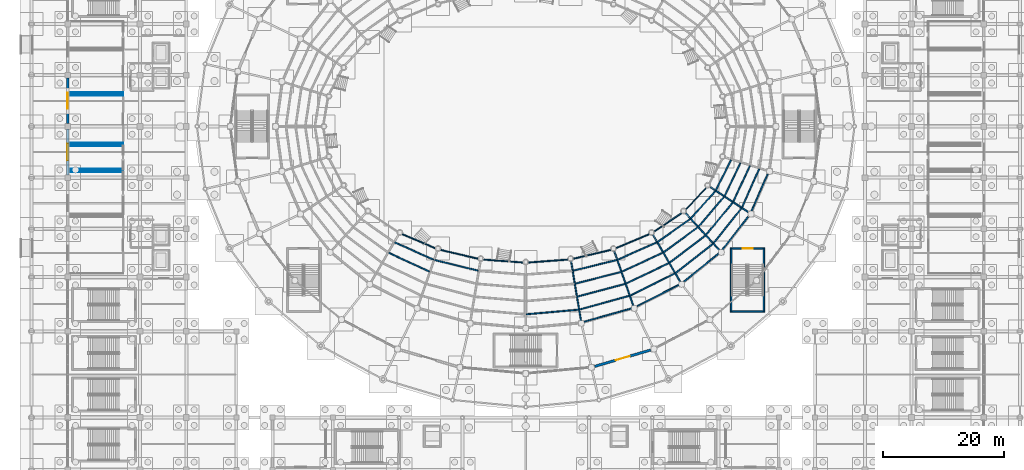
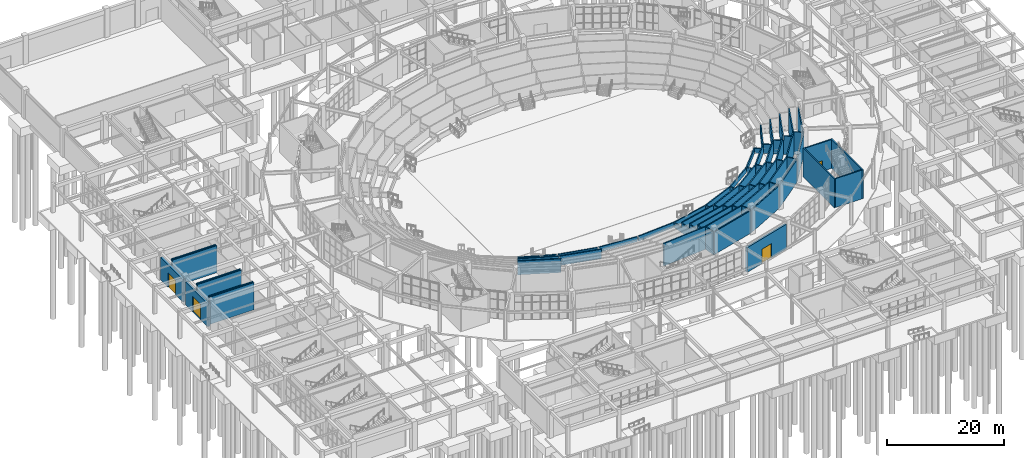
# One storey, part 85 of 121: 55 walls, 4 doors, 4 openings.
"""IFC4 building model written with IfcOpenShell, lengths in metres."""

from ifc_helpers import new_model, si_unit, direction, frame, frame_2d, origin, place, context, subcontext, project, spatial, polyline, rectangle, outline, extrude, material, layer, layer_set, type_object, element, fill, save


model = new_model("IFC4")

# Units and contexts
model_context = context("Model", 3, precision=1e-05, world=origin(), true_north=direction((0.0, 1.0)))
body_context = subcontext(model_context, "Body", "Model", "MODEL_VIEW")
ifc_project = project(units=[si_unit("LENGTHUNIT", "METRE"), si_unit("AREAUNIT", "SQUARE_METRE"), si_unit("VOLUMEUNIT", "CUBIC_METRE"), si_unit("PLANEANGLEUNIT", "RADIAN"), si_unit("MASSUNIT", "GRAM", prefix="KILO")], contexts=[model_context])

# Site, building, storey
site_placement = place(None, origin())
site = spatial("IfcSite", under=ifc_project, at=site_placement, CompositionType="ELEMENT")
building_placement = place(site_placement, origin())
building = spatial("IfcBuilding", under=site, at=building_placement, Name="Cuetzalor Civic Arena", CompositionType="ELEMENT")
storey_placement = place(building_placement, origin())
storey = spatial("IfcBuildingStorey", under=building, at=storey_placement, Name="L00", CompositionType="ELEMENT", Elevation=0.0)

# Walls
ifc_material_1 = material(Name="Acoustic steel-stud gypsum partition", Category="steel")
ifc_layer_1 = layer(ifc_material_1, 0.14990234375)
ifc_layer_set_1 = layer_set([ifc_layer_1], Name="Acoustic steel-stud gypsum partition")
wall_type_1 = type_object("IfcWallType", Name="AcousticGypsumPartition_150", PredefinedType="PARTITIONING", material=ifc_layer_set_1)
for number, where, z_axis, x_axis, name in (
    (1, (-75.5, -7.5, 0.0), (0.0, 0.0, 1.0), (1.0, 0.0, 0.0), "Interior Partition IWALL:L00:0094"),
    (2, (-75.5, -3.199951171875, 0.0), (0.0, 0.0, 1.0), (1.0, 0.0, 0.0), "Interior Partition IWALL:L00:0097"),
    (3, (-66.800048828125, -7.10009765625, 0.0), (0.0, 0.0, 1.0), (-1.0, 0.0, 0.0), "Interior Partition IWALL:L00:0098"),
    (4, (-75.5, 5.199951171875, 0.0), (0.0, 0.0, 1.0), (1.0, 0.0, 0.0), "Interior Partition IWALL:L00:0100"),
    (5, (-66.800048828125, -2.800048828125, 0.0), (0.0, 0.0, 1.0), (-1.0, 0.0, 0.0), "Interior Partition IWALL:L00:0101"),
    (6, (-66.800048828125, 5.60009765625, 0.0), (0.0, 0.0, 1.0), (-1.0, 0.0, 0.0), "Interior Partition IWALL:L00:0104"),
):
    element("IfcWall", number, at=place(storey_placement, frame(where, z_axis=z_axis, x_axis=x_axis)), inside=storey, type_object=wall_type_1, Name=name, PredefinedType="PARTITIONING", context=body_context, shape_type="SweptSolid", body=[
        extrude(rectangle(XDim=8.699951171875, YDim=0.14990234375, at=frame_2d((4.35009765625, 0.0))), origin(), (0.0, 0.0, 1.0), 5.639892578125),
    ])

# Wall, opening, door
ifc_material_2 = material(Name="Puebla cantera gris stone on Concrete C35/45", Category="masonry")
ifc_layer_2 = layer(ifc_material_2, 0.419921875)
ifc_layer_set_2 = layer_set([ifc_layer_2], Name="Puebla cantera gris stone on Concrete C35/45")
wall_type_2 = type_object("IfcWallType", Name="CanteraStoneArcadeWall_420", PredefinedType="SOLIDWALL", material=ifc_layer_set_2)
wall_1_placement = place(storey_placement, frame((20.7119140625, -37.10009765625, 0.0), z_axis=(0.0, 0.0, 1.0), x_axis=(-0.95970445843, -0.281011303101, 0.0)))
wall_1 = element("IfcWall", 7, at=wall_1_placement, inside=storey, type_object=wall_type_2, Name="Drum Ground Colonnade Portal Wall L00-007", PredefinedType="SOLIDWALL", context=body_context, shape_type="SweptSolid", body=[
    extrude(rectangle(XDim=9.64892578125, YDim=0.419921875, at=frame_2d((4.824462890625, 0.0))), origin(), (0.0, 0.0, 1.0), 5.156982421875),
])
opening_1_placement = place(wall_1_placement, frame((3.62451171875, 0.0, 0.0)))
opening_1 = element("IfcOpeningElement", 8, at=opening_1_placement, cuts=wall_1, Name="Opening ED-01", PredefinedType="OPENING", context=body_context, shape_type="SweptSolid", body=[
    extrude(rectangle(XDim=2.39990234375, YDim=3.0, at=frame_2d((1.199951171875, 1.5))), frame((0.0, 0.219970703125, 0.0), z_axis=(0.0, -1.0, 0.0), x_axis=(1.0, 0.0, 0.0)), (0.0, 0.0, 1.0), 0.43994140625),
])
ifc_material_3 = material(Name="Thermally broken bronze steel and laminated glass", Category="steel")
door_type_1 = type_object("IfcDoorType", Name="MainColonnadeEntrance_2400x3000", OperationType="DOUBLE_DOOR_SINGLE_SWING", PredefinedType="DOOR", material=ifc_material_3)
door_1_placement = place(opening_1_placement, origin())
door_1 = element("IfcDoor", 9, at=door_1_placement, inside=storey, type_object=door_type_1, Name="Pedestrian exit gate G07", OperationType="DOUBLE_DOOR_SINGLE_SWING", OverallHeight=3.0, OverallWidth=2.39990234375, PredefinedType="DOOR", context=body_context, shape_type="SweptSolid", body=[
    extrude(rectangle(XDim=2.39990234375, YDim=3.0, at=frame_2d((1.199951171875, 1.5))), frame((0.0, 0.02490234375, 0.0), z_axis=(0.0, -1.0, 0.0), x_axis=(1.0, 0.0, 0.0)), (0.0, 0.0, 1.0), 0.050048828125),
])
fill(opening_1, door_1)

wall_2_placement = place(storey_placement, frame((-76.0, -8.04296875, 0.0), z_axis=(0.0, 0.0, 1.0), x_axis=(0.0, 1.0, 0.0)))
wall_2 = element("IfcWall", 10, at=wall_2_placement, inside=storey, type_object=wall_type_2, Name="V4W Colonnade Entrance Wall L00-123", PredefinedType="SOLIDWALL", context=body_context, shape_type="SweptSolid", body=[
    extrude(rectangle(XDim=7.5859375, YDim=0.419921875, at=frame_2d((3.79296875, 0.0))), origin(), (0.0, 0.0, 1.0), 4.739990234375),
])
opening_2_placement = place(wall_2_placement, frame((2.39306640625, 0.0, 0.0)))
opening_2 = element("IfcOpeningElement", 11, at=opening_2_placement, cuts=wall_2, Name="Opening ED-03", PredefinedType="OPENING", context=body_context, shape_type="SweptSolid", body=[
    extrude(rectangle(XDim=2.800048828125, YDim=3.199951171875, at=frame_2d((1.39990234375, 1.60009765625))), frame((0.0, 0.219970703125, 0.0), z_axis=(0.0, -1.0, 0.0), x_axis=(1.0, 0.0, 0.0)), (0.0, 0.0, 1.0), 0.43994140625),
])
ifc_material_4 = material(Name="Thermally broken bronze steel and laminated glass", Category="steel")
door_type_2 = type_object("IfcDoorType", Name="MainColonnadeEntrance_2800x3200", OperationType="DOUBLE_DOOR_SINGLE_SWING", PredefinedType="DOOR", material=ifc_material_4)
door_2_placement = place(opening_2_placement, origin())
door_2 = element("IfcDoor", 12, at=door_2_placement, inside=storey, type_object=door_type_2, Name="Main entrance E09", OperationType="DOUBLE_DOOR_SINGLE_SWING", OverallHeight=3.199951171875, OverallWidth=2.800048828125, PredefinedType="DOOR", context=body_context, shape_type="SweptSolid", body=[
    extrude(rectangle(XDim=2.800048828125, YDim=3.199951171875, at=frame_2d((1.39990234375, 1.60009765625))), frame((0.0, 0.02490234375, 0.0), z_axis=(0.0, -1.0, 0.0), x_axis=(1.0, 0.0, 0.0)), (0.0, 0.0, 1.0), 0.050048828125),
])
fill(opening_2, door_2)

wall_3_placement = place(storey_placement, frame((-76.0, 0.45703125, 0.0), z_axis=(0.0, 0.0, 1.0), x_axis=(0.0, 1.0, 0.0)))
wall_3 = element("IfcWall", 13, at=wall_3_placement, inside=storey, type_object=wall_type_2, Name="V4W Colonnade Entrance Wall L00-124", PredefinedType="SOLIDWALL", context=body_context, shape_type="SweptSolid", body=[
    extrude(rectangle(XDim=7.5859375, YDim=0.419921875, at=frame_2d((3.79296875, 0.0))), origin(), (0.0, 0.0, 1.0), 4.739990234375),
])
opening_3_placement = place(wall_3_placement, frame((2.492919921875, 0.0, 0.0)))
opening_3 = element("IfcOpeningElement", 14, at=opening_3_placement, cuts=wall_3, Name="Opening ED-02", PredefinedType="OPENING", context=body_context, shape_type="SweptSolid", body=[
    extrude(rectangle(XDim=2.60009765625, YDim=3.0, at=frame_2d((1.300048828125, 1.5))), frame((0.0, 0.219970703125, 0.0), z_axis=(0.0, -1.0, 0.0), x_axis=(1.0, 0.0, 0.0)), (0.0, 0.0, 1.0), 0.43994140625),
])
ifc_material_5 = material(Name="Thermally broken bronze steel and laminated glass", Category="steel")
door_type_3 = type_object("IfcDoorType", Name="MainColonnadeEntrance_2600x3000", OperationType="DOUBLE_DOOR_SINGLE_SWING", PredefinedType="DOOR", material=ifc_material_5)
door_3_placement = place(opening_3_placement, origin())
door_3 = element("IfcDoor", 15, at=door_3_placement, inside=storey, type_object=door_type_3, Name="Main entrance E10", OperationType="DOUBLE_DOOR_SINGLE_SWING", OverallHeight=3.0, OverallWidth=2.60009765625, PredefinedType="DOOR", context=body_context, shape_type="SweptSolid", body=[
    extrude(rectangle(XDim=2.60009765625, YDim=3.0, at=frame_2d((1.300048828125, 1.5))), frame((0.0, 0.02490234375, 0.0), z_axis=(0.0, -1.0, 0.0), x_axis=(1.0, 0.0, 0.0)), (0.0, 0.0, 1.0), 0.050048828125),
])
fill(opening_3, door_3)

# Wall
ifc_material_6 = material(Name="Concrete C40/50", Category="concrete")
ifc_layer_3 = layer(ifc_material_6, 0.25)
ifc_layer_set_3 = layer_set([ifc_layer_3], Name="Concrete C40/50")
wall_type_3 = type_object("IfcWallType", Name="ConcreteCoreShearWall_250", PredefinedType="SHEAR", material=ifc_layer_set_3)
wall_4_placement = place(storey_placement, frame((34.074951171875, -30.85009765625, 0.0), z_axis=(0.0, 0.0, 1.0), x_axis=(0.0, 1.0, 0.0)))
element("IfcWall", 16, at=wall_4_placement, inside=storey, type_object=wall_type_3, Name="Stair Core Shear Wall ST-08-L00-W", PredefinedType="SHEAR", context=body_context, shape_type="SweptSolid", body=[
    extrude(rectangle(XDim=10.7001953125, YDim=0.25, at=frame_2d((5.35009765625, 0.0))), origin(), (0.0, 0.0, 1.0), 6.0),
])

# Wall, opening, door
wall_5_placement = place(storey_placement, frame((34.199951171875, -20.27490234375, 0.0), z_axis=(0.0, 0.0, 1.0), x_axis=(1.0, 0.0, 0.0)))
wall_5 = element("IfcWall", 17, at=wall_5_placement, inside=storey, type_object=wall_type_3, Name="Stair Core Shear Wall ST-08-L00-N", PredefinedType="SHEAR", context=body_context, shape_type="SweptSolid", body=[
    extrude(rectangle(XDim=5.199951171875, YDim=0.25, at=frame_2d((2.60009765625, 0.0))), origin(), (0.0, 0.0, 1.0), 6.0),
])
opening_4_placement = place(wall_5_placement, frame((1.77490234375, 0.0, 0.0)))
opening_4 = element("IfcOpeningElement", 18, at=opening_4_placement, cuts=wall_5, Name="Opening FD-04", PredefinedType="OPENING", context=body_context, shape_type="SweptSolid", body=[
    extrude(rectangle(XDim=1.64990234375, YDim=2.199951171875, at=frame_2d((0.824951171875, 1.10009765625))), frame((0.0, 0.135009765625, 0.0), z_axis=(0.0, -1.0, 0.0), x_axis=(1.0, 0.0, 0.0)), (0.0, 0.0, 1.0), 0.27001953125),
])
ifc_material_7 = material(Name="Fire-rated steel stair exit double door", Category="steel")
door_type_4 = type_object("IfcDoorType", Name="StairFireDoubleDoor_1650x2200", OperationType="DOUBLE_DOOR_SINGLE_SWING", PredefinedType="DOOR", material=ifc_material_7)
door_4_placement = place(opening_4_placement, origin())
door_4 = element("IfcDoor", 19, at=door_4_placement, inside=storey, type_object=door_type_4, Name="Fire Stair Door ST-08 L00", OperationType="DOUBLE_DOOR_SINGLE_SWING", OverallHeight=2.199951171875, OverallWidth=1.64990234375, PredefinedType="DOOR", context=body_context, shape_type="SweptSolid", body=[
    extrude(rectangle(XDim=1.64990234375, YDim=2.199951171875, at=frame_2d((0.824951171875, 1.10009765625))), frame((0.0, 0.02490234375, 0.0), z_axis=(0.0, -1.0, 0.0), x_axis=(1.0, 0.0, 0.0)), (0.0, 0.0, 1.0), 0.050048828125),
])
fill(opening_4, door_4)

# Walls
wall_6_placement = place(storey_placement, frame((39.52490234375, -20.14990234375, 0.0), z_axis=(0.0, 0.0, 1.0), x_axis=(0.0, -1.0, 0.0)))
element("IfcWall", 20, at=wall_6_placement, inside=storey, type_object=wall_type_3, Name="Stair Core Shear Wall ST-08-L00-E", PredefinedType="SHEAR", context=body_context, shape_type="SweptSolid", body=[
    extrude(rectangle(XDim=10.7001953125, YDim=0.25, at=frame_2d((5.35009765625, 0.0))), origin(), (0.0, 0.0, 1.0), 6.0),
])
wall_7_placement = place(storey_placement, frame((39.39990234375, -30.72509765625, 0.0), z_axis=(0.0, 0.0, 1.0), x_axis=(-1.0, 0.0, 0.0)))
element("IfcWall", 21, at=wall_7_placement, inside=storey, type_object=wall_type_3, Name="Stair Core Shear Wall ST-08-L00-S", PredefinedType="SHEAR", context=body_context, shape_type="SweptSolid", body=[
    extrude(rectangle(XDim=5.199951171875, YDim=0.25, at=frame_2d((2.60009765625, 0.0))), origin(), (0.0, 0.0, 1.0), 6.0),
])
ifc_material_8 = material(Name="Precast concrete C40/50", Category="concrete")
ifc_layer_4 = layer(ifc_material_8, 0.2099609375)
ifc_layer_set_4 = layer_set([ifc_layer_4], Name="Precast concrete C40/50")
wall_type_4 = type_object("IfcWallType", Name="PrecastBowlRiserWall_210", PredefinedType="SHEAR", material=ifc_layer_set_4)
wall_8_placement = place(storey_placement, frame((-20.8623046875, -17.72705078125, 0.0), z_axis=(0.0, 0.0, 1.0), x_axis=(0.921068235508, -0.389401214095, 0.0)))
element("IfcWall", 22, at=wall_8_placement, inside=storey, type_object=wall_type_4, Name="Lower Bowl Riser Support Wall S19-R0", PredefinedType="SHEAR", context=body_context, shape_type="SweptSolid", body=[
    extrude(rectangle(XDim=6.704833984375, YDim=0.2099609375, at=frame_2d((3.3525390625, 0.0))), origin(), (0.0, 0.0, 1.0), 1.02001953125),
])
wall_9_placement = place(storey_placement, frame((-21.7109375, -19.260986328125, 0.0), z_axis=(0.0, 0.0, 1.0), x_axis=(0.914790712521, -0.403928152381, 0.0)))
element("IfcWall", 23, at=wall_9_placement, inside=storey, type_object=wall_type_4, Name="Lower Bowl Riser Support Wall S19-R1", PredefinedType="SHEAR", context=body_context, shape_type="SweptSolid", body=[
    extrude(rectangle(XDim=7.0341796875, YDim=0.2099609375, at=frame_2d((3.51708984375, 0.0))), origin(), (0.0, 0.0, 1.0), 1.93994140625),
])
wall_10_placement = place(storey_placement, frame((-22.709228515625, -20.982421875, 0.0), z_axis=(0.0, 0.0, 1.0), x_axis=(0.908487454009, -0.417912127018, 0.0)))
element("IfcWall", 24, at=wall_10_placement, inside=storey, type_object=wall_type_4, Name="Lower Bowl Riser Support Wall S19-R2", PredefinedType="SHEAR", context=body_context, shape_type="SweptSolid", body=[
    extrude(rectangle(XDim=7.418701171875, YDim=0.2099609375, at=frame_2d((3.70947265625, 0.0))), origin(), (0.0, 0.0, 1.0), 2.860107421875),
])
wall_11_placement = place(storey_placement, frame((-14.482177734375, -20.40478515625, 0.0), z_axis=(0.0, 0.0, 1.0), x_axis=(0.973395018135, -0.22913345166, 0.0)))
element("IfcWall", 25, at=wall_11_placement, inside=storey, type_object=wall_type_4, Name="Lower Bowl Riser Support Wall S20-R0", PredefinedType="SHEAR", context=body_context, shape_type="SweptSolid", body=[
    extrude(rectangle(XDim=7.08447265625, YDim=0.2099609375, at=frame_2d((3.542236328125, 0.0))), origin(), (0.0, 0.0, 1.0), 1.02001953125),
])
wall_12_placement = place(storey_placement, frame((-15.072509765625, -22.171630859375, 0.0), z_axis=(0.0, 0.0, 1.0), x_axis=(0.971076710896, -0.238767714642, 0.0)))
element("IfcWall", 26, at=wall_12_placement, inside=storey, type_object=wall_type_4, Name="Lower Bowl Riser Support Wall S20-R1", PredefinedType="SHEAR", context=body_context, shape_type="SweptSolid", body=[
    extrude(rectangle(XDim=7.397705078125, YDim=0.2099609375, at=frame_2d((3.69873046875, 0.0))), origin(), (0.0, 0.0, 1.0), 1.93994140625),
])
for number, where, z_axis, x_axis, name in (
    (27, (-7.37353515625, -22.06103515625, 0.0), (0.0, 0.0, 1.0), (0.997139207233, -0.075587045177, 0.0), "Lower Bowl Riser Support Wall S21-R0"),
    (28, (0.107666015625, -22.61181640625, 0.0), (0.0, 0.0, 1.0), (0.997139207233, 0.075587045177, 0.0), "Lower Bowl Riser Support Wall S22-R0"),
):
    element("IfcWall", number, at=place(storey_placement, frame(where, z_axis=z_axis, x_axis=x_axis)), inside=storey, type_object=wall_type_4, Name=name, PredefinedType="SHEAR", context=body_context, shape_type="SweptSolid", body=[
        extrude(rectangle(XDim=7.28662109375, YDim=0.2099609375, at=frame_2d((3.643310546875, 0.0))), origin(), (0.0, 0.0, 1.0), 1.02001953125),
    ])
wall_13_placement = place(storey_placement, frame((0.107666015625, -31.17041015625, 0.0), z_axis=(0.0, 0.0, 1.0), x_axis=(0.996123466493, 0.087966127016, 0.0)))
element("IfcWall", 29, at=wall_13_placement, inside=storey, type_object=wall_type_4, Name="Lower Bowl Riser Support Wall S22-R4", PredefinedType="SHEAR", context=body_context, shape_type="SweptSolid", body=[
    extrude(rectangle(XDim=8.67041015625, YDim=0.2099609375, at=frame_2d((4.335205078125, 0.0))), origin(), (0.0, 0.0, 1.0), 4.699951171875),
])
wall_14_placement = place(storey_placement, frame((7.45458984375, -21.935791015625, 0.0), z_axis=(0.0, 0.0, 1.0), x_axis=(0.163739783963, -0.986503564691, 0.0)))
element("IfcWall", 30, at=wall_14_placement, inside=storey, type_object=wall_type_4, Name="Lower Bowl Radial Carrier Wall S23", PredefinedType="SHEAR", context=body_context, shape_type="SweptSolid", body=[
    extrude(outline(polyline([(0.0, 0.0), (10.87109375, 0.0), (10.870849609375, 4.699951171875), (8.706787109375, 4.699951171875), (8.69677734375, 3.780029296875), (6.532470703125, 3.780029296875), (6.5224609375, 2.860107421875), (4.3583984375, 2.860107421875), (4.348388671875, 1.93994140625), (2.18408203125, 1.93994140625), (2.17431640625, 1.02001953125), (0.0, 1.02001953125), (0.0, 0.0)])), frame((0.0, 0.10498046875, 0.0), z_axis=(0.0, -1.0, 0.0), x_axis=(1.0, 0.0, 0.0)), (0.0, 0.0, 1.0), 0.2099609375),
])
wall_15_placement = place(storey_placement, frame((7.586181640625, -22.028076171875, 0.0), z_axis=(0.0, 0.0, 1.0), x_axis=(0.973395018135, 0.22913345166, 0.0)))
element("IfcWall", 31, at=wall_15_placement, inside=storey, type_object=wall_type_4, Name="Lower Bowl Riser Support Wall S23-R0", PredefinedType="SHEAR", context=body_context, shape_type="SweptSolid", body=[
    extrude(rectangle(XDim=7.08447265625, YDim=0.2099609375, at=frame_2d((3.542236328125, 0.0))), origin(), (0.0, 0.0, 1.0), 1.02001953125),
])
wall_16_placement = place(storey_placement, frame((7.888671875, -23.93798828125, 0.0), z_axis=(0.0, 0.0, 1.0), x_axis=(0.971076710896, 0.238767714642, 0.0)))
element("IfcWall", 32, at=wall_16_placement, inside=storey, type_object=wall_type_4, Name="Lower Bowl Riser Support Wall S23-R1", PredefinedType="SHEAR", context=body_context, shape_type="SweptSolid", body=[
    extrude(rectangle(XDim=7.397705078125, YDim=0.2099609375, at=frame_2d((3.69873046875, 0.0))), origin(), (0.0, 0.0, 1.0), 1.93994140625),
])
wall_17_placement = place(storey_placement, frame((8.244384765625, -26.081787109375, 0.0), z_axis=(0.0, 0.0, 1.0), x_axis=(0.968720668809, 0.248153714102, 0.0)))
element("IfcWall", 33, at=wall_17_placement, inside=storey, type_object=wall_type_4, Name="Lower Bowl Riser Support Wall S23-R2", PredefinedType="SHEAR", context=body_context, shape_type="SweptSolid", body=[
    extrude(rectangle(XDim=7.765380859375, YDim=0.2099609375, at=frame_2d((3.8828125, 0.0))), origin(), (0.0, 0.0, 1.0), 2.860107421875),
])
wall_18_placement = place(storey_placement, frame((8.60009765625, -28.2255859375, 0.0), z_axis=(0.0, 0.0, 1.0), x_axis=(0.966491526887, 0.25669851666, 0.0)))
element("IfcWall", 34, at=wall_18_placement, inside=storey, type_object=wall_type_4, Name="Lower Bowl Riser Support Wall S23-R3", PredefinedType="SHEAR", context=body_context, shape_type="SweptSolid", body=[
    extrude(rectangle(XDim=8.133544921875, YDim=0.2099609375, at=frame_2d((4.06689453125, 0.0))), origin(), (0.0, 0.0, 1.0), 3.780029296875),
])
wall_19_placement = place(storey_placement, frame((8.9560546875, -30.36962890625, 0.0), z_axis=(0.0, 0.0, 1.0), x_axis=(0.964389789843, 0.264485034069, 0.0)))
element("IfcWall", 35, at=wall_19_placement, inside=storey, type_object=wall_type_4, Name="Lower Bowl Riser Support Wall S23-R4", PredefinedType="SHEAR", context=body_context, shape_type="SweptSolid", body=[
    extrude(rectangle(XDim=8.50244140625, YDim=0.2099609375, at=frame_2d((4.251220703125, 0.0))), origin(), (0.0, 0.0, 1.0), 4.699951171875),
])
wall_20_placement = place(storey_placement, frame((9.311767578125, -32.513916015625, 0.0), z_axis=(0.0, 0.0, 1.0), x_axis=(0.962386234361, 0.271684993905, 0.0)))
element("IfcWall", 36, at=wall_20_placement, inside=storey, type_object=wall_type_4, Name="Lower Bowl Riser Support Wall S23-R5", PredefinedType="SHEAR", context=body_context, shape_type="SweptSolid", body=[
    extrude(rectangle(XDim=8.8720703125, YDim=0.2099609375, at=frame_2d((4.43603515625, 0.0))), origin(), (0.0, 0.0, 1.0), 4.699951171875),
])
wall_21_placement = place(storey_placement, frame((14.53515625, -20.271728515625, 0.0), z_axis=(0.0, 0.0, 1.0), x_axis=(0.33053164726, -0.94379490895, 0.0)))
element("IfcWall", 37, at=wall_21_placement, inside=storey, type_object=wall_type_4, Name="Lower Bowl Radial Carrier Wall S24", PredefinedType="SHEAR", context=body_context, shape_type="SweptSolid", body=[
    extrude(outline(polyline([(0.0, 0.0), (10.501220703125, 0.0), (10.5009765625, 4.699951171875), (8.410888671875, 4.699951171875), (8.40087890625, 3.780029296875), (6.310546875, 3.780029296875), (6.300537109375, 2.860107421875), (4.21044921875, 2.860107421875), (4.200439453125, 1.93994140625), (2.110107421875, 1.93994140625), (2.10009765625, 1.02001953125), (0.0, 1.02001953125), (0.0, 0.0)])), frame((0.0, 0.10498046875, 0.0), z_axis=(0.0, -1.0, 0.0), x_axis=(1.0, 0.0, 0.0)), (0.0, 0.0, 1.0), 0.2099609375),
])
wall_22_placement = place(storey_placement, frame((14.686767578125, -20.337890625, 0.0), z_axis=(0.0, 0.0, 1.0), x_axis=(0.921068235508, 0.389401214095, 0.0)))
element("IfcWall", 38, at=wall_22_placement, inside=storey, type_object=wall_type_4, Name="Lower Bowl Riser Support Wall S24-R0", PredefinedType="SHEAR", context=body_context, shape_type="SweptSolid", body=[
    extrude(rectangle(XDim=6.704833984375, YDim=0.2099609375, at=frame_2d((3.3525390625, 0.0))), origin(), (0.0, 0.0, 1.0), 1.02001953125),
])
wall_23_placement = place(storey_placement, frame((15.276123046875, -22.102294921875, 0.0), z_axis=(0.0, 0.0, 1.0), x_axis=(0.914790712521, 0.403928152381, 0.0)))
element("IfcWall", 39, at=wall_23_placement, inside=storey, type_object=wall_type_4, Name="Lower Bowl Riser Support Wall S24-R1", PredefinedType="SHEAR", context=body_context, shape_type="SweptSolid", body=[
    extrude(rectangle(XDim=7.0341796875, YDim=0.2099609375, at=frame_2d((3.51708984375, 0.0))), origin(), (0.0, 0.0, 1.0), 1.93994140625),
])
wall_24_placement = place(storey_placement, frame((15.969482421875, -24.082763671875, 0.0), z_axis=(0.0, 0.0, 1.0), x_axis=(0.908487454009, 0.417912127018, 0.0)))
element("IfcWall", 40, at=wall_24_placement, inside=storey, type_object=wall_type_4, Name="Lower Bowl Riser Support Wall S24-R2", PredefinedType="SHEAR", context=body_context, shape_type="SweptSolid", body=[
    extrude(rectangle(XDim=7.418701171875, YDim=0.2099609375, at=frame_2d((3.70947265625, 0.0))), origin(), (0.0, 0.0, 1.0), 2.860107421875),
])
wall_25_placement = place(storey_placement, frame((16.6630859375, -26.063720703125, 0.0), z_axis=(0.0, 0.0, 1.0), x_axis=(0.902599567241, 0.430481150827, 0.0)))
element("IfcWall", 41, at=wall_25_placement, inside=storey, type_object=wall_type_4, Name="Lower Bowl Riser Support Wall S24-R3", PredefinedType="SHEAR", context=body_context, shape_type="SweptSolid", body=[
    extrude(rectangle(XDim=7.804443359375, YDim=0.2099609375, at=frame_2d((3.90234375, 0.0))), origin(), (0.0, 0.0, 1.0), 3.780029296875),
])
wall_26_placement = place(storey_placement, frame((17.356689453125, -28.04443359375, 0.0), z_axis=(0.0, 0.0, 1.0), x_axis=(0.897111072501, 0.441805074209, 0.0)))
element("IfcWall", 42, at=wall_26_placement, inside=storey, type_object=wall_type_4, Name="Lower Bowl Riser Support Wall S24-R4", PredefinedType="SHEAR", context=body_context, shape_type="SweptSolid", body=[
    extrude(rectangle(XDim=8.191650390625, YDim=0.2099609375, at=frame_2d((4.095703125, 0.0))), origin(), (0.0, 0.0, 1.0), 4.699951171875),
])
wall_27_placement = place(storey_placement, frame((18.05029296875, -30.025390625, 0.0), z_axis=(0.0, 0.0, 1.0), x_axis=(0.891966782811, 0.452100938244, 0.0)))
element("IfcWall", 43, at=wall_27_placement, inside=storey, type_object=wall_type_4, Name="Lower Bowl Riser Support Wall S24-R5", PredefinedType="SHEAR", context=body_context, shape_type="SweptSolid", body=[
    extrude(rectangle(XDim=8.580322265625, YDim=0.2099609375, at=frame_2d((4.2900390625, 0.0))), origin(), (0.0, 0.0, 1.0), 4.699951171875),
])
wall_28_placement = place(storey_placement, frame((20.886962890625, -17.59130859375, 0.0), z_axis=(0.0, 0.0, 1.0), x_axis=(0.501698244165, -0.86504269941, 0.0)))
element("IfcWall", 44, at=wall_28_placement, inside=storey, type_object=wall_type_4, Name="Lower Bowl Radial Carrier Wall S25", PredefinedType="SHEAR", context=body_context, shape_type="SweptSolid", body=[
    extrude(outline(polyline([(0.0, 0.0), (9.94189453125, 0.0), (9.94189453125, 4.699951171875), (7.963623046875, 4.699951171875), (7.95361328125, 3.780029296875), (5.97509765625, 3.780029296875), (5.965087890625, 2.860107421875), (3.98681640625, 2.860107421875), (3.976806640625, 1.93994140625), (1.998291015625, 1.93994140625), (1.98828125, 1.02001953125), (0.0, 1.02001953125), (0.0, 0.0)])), frame((0.0, 0.10498046875, 0.0), z_axis=(0.0, -1.0, 0.0), x_axis=(1.0, 0.0, 0.0)), (0.0, 0.0, 1.0), 0.2099609375),
])
wall_29_placement = place(storey_placement, frame((21.05126953125, -17.624755859375, 0.0), z_axis=(0.0, 0.0, 1.0), x_axis=(0.829686299327, 0.558229921008, 0.0)))
element("IfcWall", 45, at=wall_29_placement, inside=storey, type_object=wall_type_4, Name="Lower Bowl Riser Support Wall S25-R0", PredefinedType="SHEAR", context=body_context, shape_type="SweptSolid", body=[
    extrude(rectangle(XDim=6.2001953125, YDim=0.2099609375, at=frame_2d((3.10009765625, 0.0))), origin(), (0.0, 0.0, 1.0), 1.02001953125),
])
wall_30_placement = place(storey_placement, frame((21.898193359375, -19.1552734375, 0.0), z_axis=(0.0, 0.0, 1.0), x_axis=(0.818187433955, 0.574951583108, 0.0)))
element("IfcWall", 46, at=wall_30_placement, inside=storey, type_object=wall_type_4, Name="Lower Bowl Riser Support Wall S25-R1", PredefinedType="SHEAR", context=body_context, shape_type="SweptSolid", body=[
    extrude(rectangle(XDim=6.55322265625, YDim=0.2099609375, at=frame_2d((3.276611328125, 0.0))), origin(), (0.0, 0.0, 1.0), 1.93994140625),
])
wall_31_placement = place(storey_placement, frame((22.894287109375, -20.87353515625, 0.0), z_axis=(0.0, 0.0, 1.0), x_axis=(0.806901917216, 0.590685445896, 0.0)))
element("IfcWall", 47, at=wall_31_placement, inside=storey, type_object=wall_type_4, Name="Lower Bowl Riser Support Wall S25-R2", PredefinedType="SHEAR", context=body_context, shape_type="SweptSolid", body=[
    extrude(rectangle(XDim=6.96240234375, YDim=0.2099609375, at=frame_2d((3.481201171875, 0.0))), origin(), (0.0, 0.0, 1.0), 2.860107421875),
])
wall_32_placement = place(storey_placement, frame((23.890869140625, -22.59228515625, 0.0), z_axis=(0.0, 0.0, 1.0), x_axis=(0.796530171692, 0.604598780667, 0.0)))
element("IfcWall", 48, at=wall_32_placement, inside=storey, type_object=wall_type_4, Name="Lower Bowl Riser Support Wall S25-R3", PredefinedType="SHEAR", context=body_context, shape_type="SweptSolid", body=[
    extrude(rectangle(XDim=7.3740234375, YDim=0.2099609375, at=frame_2d((3.68701171875, 0.0))), origin(), (0.0, 0.0, 1.0), 3.780029296875),
])
wall_33_placement = place(storey_placement, frame((24.887451171875, -24.310791015625, 0.0), z_axis=(0.0, 0.0, 1.0), x_axis=(0.787057560767, 0.616879563642, 0.0)))
element("IfcWall", 49, at=wall_33_placement, inside=storey, type_object=wall_type_4, Name="Lower Bowl Riser Support Wall S25-R4", PredefinedType="SHEAR", context=body_context, shape_type="SweptSolid", body=[
    extrude(rectangle(XDim=7.787109375, YDim=0.2099609375, at=frame_2d((3.8935546875, 0.0))), origin(), (0.0, 0.0, 1.0), 4.699951171875),
])
wall_34_placement = place(storey_placement, frame((25.884033203125, -26.02978515625, 0.0), z_axis=(0.0, 0.0, 1.0), x_axis=(0.778324356103, 0.627862402678, 0.0)))
element("IfcWall", 50, at=wall_34_placement, inside=storey, type_object=wall_type_4, Name="Lower Bowl Riser Support Wall S25-R5", PredefinedType="SHEAR", context=body_context, shape_type="SweptSolid", body=[
    extrude(rectangle(XDim=8.202392578125, YDim=0.2099609375, at=frame_2d((4.10107421875, 0.0))), origin(), (0.0, 0.0, 1.0), 4.699951171875),
])
wall_35_placement = place(storey_placement, frame((26.19140625, -14.028564453125, 0.0), z_axis=(0.0, 0.0, 1.0), x_axis=(0.67383580406, -0.73888111978, 0.0)))
element("IfcWall", 51, at=wall_35_placement, inside=storey, type_object=wall_type_4, Name="Lower Bowl Radial Carrier Wall S26", PredefinedType="SHEAR", context=body_context, shape_type="SweptSolid", body=[
    extrude(outline(polyline([(0.0, 0.0), (9.2822265625, 0.0), (9.281982421875, 4.699951171875), (7.435791015625, 4.699951171875), (7.42578125, 3.780029296875), (5.579345703125, 3.780029296875), (5.5693359375, 2.860107421875), (3.722900390625, 2.860107421875), (3.712890625, 1.93994140625), (1.866455078125, 1.93994140625), (1.8564453125, 1.02001953125), (0.0, 1.02001953125), (0.0, 0.0)])), frame((0.0, 0.10498046875, 0.0), z_axis=(0.0, -1.0, 0.0), x_axis=(1.0, 0.0, 0.0)), (0.0, 0.0, 1.0), 0.2099609375),
])
wall_36_placement = place(storey_placement, frame((26.35888671875, -14.0244140625, 0.0), z_axis=(0.0, 0.0, 1.0), x_axis=(0.682527516109, 0.730859897486, 0.0)))
element("IfcWall", 52, at=wall_36_placement, inside=storey, type_object=wall_type_4, Name="Lower Bowl Riser Support Wall S26-R0", PredefinedType="SHEAR", context=body_context, shape_type="SweptSolid", body=[
    extrude(rectangle(XDim=5.65234375, YDim=0.2099609375, at=frame_2d((2.826171875, 0.0))), origin(), (0.0, 0.0, 1.0), 1.02001953125),
])
wall_37_placement = place(storey_placement, frame((27.42041015625, -15.244873046875, 0.0), z_axis=(0.0, 0.0, 1.0), x_axis=(0.666570191538, 0.745442271241, 0.0)))
element("IfcWall", 53, at=wall_37_placement, inside=storey, type_object=wall_type_4, Name="Lower Bowl Riser Support Wall S26-R1", PredefinedType="SHEAR", context=body_context, shape_type="SweptSolid", body=[
    extrude(rectangle(XDim=6.0361328125, YDim=0.2099609375, at=frame_2d((3.01806640625, 0.0))), origin(), (0.0, 0.0, 1.0), 1.93994140625),
])
wall_38_placement = place(storey_placement, frame((28.669677734375, -16.614990234375, 0.0), z_axis=(0.0, 0.0, 1.0), x_axis=(0.651315952363, 0.758806648756, 0.0)))
element("IfcWall", 54, at=wall_38_placement, inside=storey, type_object=wall_type_4, Name="Lower Bowl Riser Support Wall S26-R2", PredefinedType="SHEAR", context=body_context, shape_type="SweptSolid", body=[
    extrude(rectangle(XDim=6.475341796875, YDim=0.2099609375, at=frame_2d((3.23779296875, 0.0))), origin(), (0.0, 0.0, 1.0), 2.860107421875),
])
wall_39_placement = place(storey_placement, frame((29.919189453125, -17.985595703125, 0.0), z_axis=(0.0, 0.0, 1.0), x_axis=(0.637671002235, 0.770308829567, 0.0)))
element("IfcWall", 55, at=wall_39_placement, inside=storey, type_object=wall_type_4, Name="Lower Bowl Riser Support Wall S26-R3", PredefinedType="SHEAR", context=body_context, shape_type="SweptSolid", body=[
    extrude(rectangle(XDim=6.917236328125, YDim=0.2099609375, at=frame_2d((3.45849609375, 0.0))), origin(), (0.0, 0.0, 1.0), 3.780029296875),
])
wall_40_placement = place(storey_placement, frame((31.1689453125, -19.356201171875, 0.0), z_axis=(0.0, 0.0, 1.0), x_axis=(0.625463248633, 0.780253628386, 0.0)))
element("IfcWall", 56, at=wall_40_placement, inside=storey, type_object=wall_type_4, Name="Lower Bowl Riser Support Wall S26-R4", PredefinedType="SHEAR", context=body_context, shape_type="SweptSolid", body=[
    extrude(rectangle(XDim=7.36083984375, YDim=0.2099609375, at=frame_2d((3.680419921875, 0.0))), origin(), (0.0, 0.0, 1.0), 4.699951171875),
])
wall_41_placement = place(storey_placement, frame((32.418701171875, -20.726806640625, 0.0), z_axis=(0.0, 0.0, 1.0), x_axis=(0.614501224006, 0.788915867311, 0.0)))
element("IfcWall", 57, at=wall_41_placement, inside=storey, type_object=wall_type_4, Name="Lower Bowl Riser Support Wall S26-R5", PredefinedType="SHEAR", context=body_context, shape_type="SweptSolid", body=[
    extrude(rectangle(XDim=7.806640625, YDim=0.2099609375, at=frame_2d((3.9033203125, 0.0))), origin(), (0.0, 0.0, 1.0), 4.699951171875),
])
wall_42_placement = place(storey_placement, frame((30.1826171875, -9.762451171875, 0.0), z_axis=(0.0, 0.0, 1.0), x_axis=(0.833771228261, -0.552110078629, 0.0)))
element("IfcWall", 58, at=wall_42_placement, inside=storey, type_object=wall_type_4, Name="Lower Bowl Radial Carrier Wall S27", PredefinedType="SHEAR", context=body_context, shape_type="SweptSolid", body=[
    extrude(outline(polyline([(0.0, 0.0), (8.64453125, 0.0), (8.64453125, 4.699951171875), (6.92578125, 4.699951171875), (6.915771484375, 3.780029296875), (5.19677734375, 3.780029296875), (5.186767578125, 2.860107421875), (3.4677734375, 2.860107421875), (3.457763671875, 1.93994140625), (1.739013671875, 1.93994140625), (1.72900390625, 1.02001953125), (0.0, 1.02001953125), (0.0, 0.0)])), frame((0.0, 0.10498046875, 0.0), z_axis=(0.0, -1.0, 0.0), x_axis=(1.0, 0.0, 0.0)), (0.0, 0.0, 1.0), 0.2099609375),
])
wall_43_placement = place(storey_placement, frame((31.56396484375, -10.568115234375, 0.0), z_axis=(0.0, 0.0, 1.0), x_axis=(0.44579738942, 0.895133893664, 0.0)))
element("IfcWall", 59, at=wall_43_placement, inside=storey, type_object=wall_type_4, Name="Lower Bowl Riser Support Wall S27-R1", PredefinedType="SHEAR", context=body_context, shape_type="SweptSolid", body=[
    extrude(rectangle(XDim=5.587646484375, YDim=0.2099609375, at=frame_2d((2.7939453125, 0.0))), origin(), (0.0, 0.0, 1.0), 1.93994140625),
])
wall_44_placement = place(storey_placement, frame((33.00390625, -11.52197265625, 0.0), z_axis=(0.0, 0.0, 1.0), x_axis=(0.431231590807, 0.902241273214, 0.0)))
element("IfcWall", 60, at=wall_44_placement, inside=storey, type_object=wall_type_4, Name="Lower Bowl Riser Support Wall S27-R2", PredefinedType="SHEAR", context=body_context, shape_type="SweptSolid", body=[
    extrude(rectangle(XDim=6.057861328125, YDim=0.2099609375, at=frame_2d((3.02880859375, 0.0))), origin(), (0.0, 0.0, 1.0), 2.860107421875),
])
wall_45_placement = place(storey_placement, frame((34.444091796875, -12.475830078125, 0.0), z_axis=(0.0, 0.0, 1.0), x_axis=(0.41867397514, 0.908136610065, 0.0)))
element("IfcWall", 61, at=wall_45_placement, inside=storey, type_object=wall_type_4, Name="Lower Bowl Riser Support Wall S27-R3", PredefinedType="SHEAR", context=body_context, shape_type="SweptSolid", body=[
    extrude(rectangle(XDim=6.52880859375, YDim=0.2099609375, at=frame_2d((3.264404296875, 0.0))), origin(), (0.0, 0.0, 1.0), 3.780029296875),
])
wall_46_placement = place(storey_placement, frame((35.884521484375, -13.429931640625, 0.0), z_axis=(0.0, 0.0, 1.0), x_axis=(0.407645648148, 0.913140200378, 0.0)))
element("IfcWall", 62, at=wall_46_placement, inside=storey, type_object=wall_type_4, Name="Lower Bowl Riser Support Wall S27-R4", PredefinedType="SHEAR", context=body_context, shape_type="SweptSolid", body=[
    extrude(rectangle(XDim=7.001220703125, YDim=0.2099609375, at=frame_2d((3.50048828125, 0.0))), origin(), (0.0, 0.0, 1.0), 4.699951171875),
])
wall_47_placement = place(storey_placement, frame((37.3251953125, -14.3837890625, 0.0), z_axis=(0.0, 0.0, 1.0), x_axis=(0.397948413822, 0.917407793697, 0.0)))
element("IfcWall", 63, at=wall_47_placement, inside=storey, type_object=wall_type_4, Name="Lower Bowl Riser Support Wall S27-R5", PredefinedType="SHEAR", context=body_context, shape_type="SweptSolid", body=[
    extrude(rectangle(XDim=7.474365234375, YDim=0.2099609375, at=frame_2d((3.7373046875, 0.0))), origin(), (0.0, 0.0, 1.0), 4.699951171875),
])

save(model, "model.ifc")
